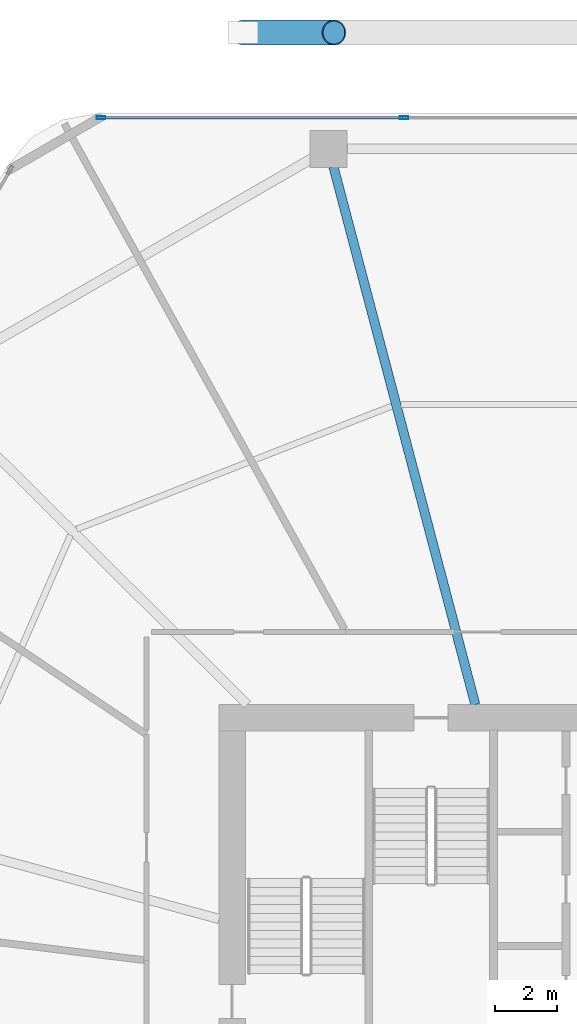
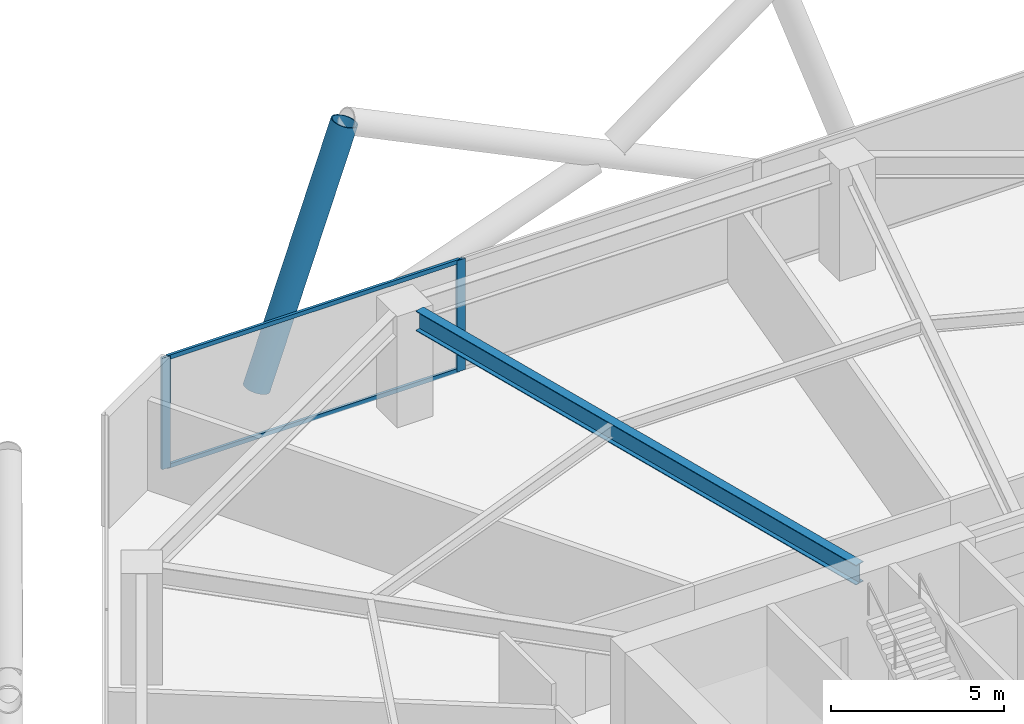
# One storey, part 17 of 28: 5 members, 1 beam, 1 element without a shape of its own.
"""IFC4 building model written with IfcOpenShell, lengths in metres."""

from ifc_helpers import new_model, si_unit, direction, frame, origin, origin_2d, place, context, subcontext, project, spatial, hollow_rectangle, hollow_circle, i_section, extrude, material, material_profile, profile_set, type_object, element, aggregate, save


model = new_model("IFC4")

# Units and contexts
model_context = context("Model", 3, precision=1e-05, world=origin(), true_north=direction((0.0, 1.0)))
body_context = subcontext(model_context, "Body", "Model", "MODEL_VIEW")
ifc_project = project(units=[si_unit("LENGTHUNIT", "METRE"), si_unit("AREAUNIT", "SQUARE_METRE"), si_unit("VOLUMEUNIT", "CUBIC_METRE"), si_unit("PLANEANGLEUNIT", "RADIAN"), si_unit("MASSUNIT", "GRAM", prefix="KILO")], contexts=[model_context])

# Site, building, storey
site_placement = place(None, origin())
site = spatial("IfcSite", under=ifc_project, at=site_placement, CompositionType="ELEMENT")
building_placement = place(site_placement, origin())
building = spatial("IfcBuilding", under=site, at=building_placement, Name="Zuhravey Tower", CompositionType="ELEMENT")
storey_placement = place(building_placement, frame((0.0, 0.0, 24.60009765625)))
storey = spatial("IfcBuildingStorey", under=building, at=storey_placement, Name="L06", CompositionType="ELEMENT", Elevation=24.60009765625)

# Curtain wall, members
ifc_material_1 = material(Name="Thermally broken anodised aluminium", Category="aluminium")
curtain_wall_type = type_object("IfcCurtainWallType", Name="School Low-E Unitised Curtain Wall CW1", PredefinedType="NOTDEFINED", material=ifc_material_1)
curtain_wall_placement = place(storey_placement, origin())
curtain_wall = element("IfcCurtainWall", 1, at=curtain_wall_placement, inside=storey, type_object=curtain_wall_type, Name="L06 CW1 CW-L06-F2-1", PredefinedType="NOTDEFINED")
ifc_material_2 = material(Name="Anodised aluminium", Category="aluminium")
ifc_material_profile_1 = material_profile(ifc_material_2, hollow_rectangle(XDim=0.090087890625, YDim=0.284912109375, WallThickness=0.0048828125, at=origin_2d()), Name="ALU-RHS-90x285x5")
ifc_profile_set_1 = profile_set([ifc_material_profile_1], Name="Anodised aluminium")
member_type_1 = type_object("IfcMemberType", Name="Curtain-Wall Mullion 90x180", PredefinedType="MULLION", material=ifc_profile_set_1)
member_1_placement = place(storey_placement, frame((21.24560546875, 60.95849609375, 0.0), z_axis=(0.0, 0.0, 1.0), x_axis=(0.0, 1.0, 0.0)))
member_1 = element("IfcMember", 2, at=member_1_placement, type_object=member_type_1, Name="CW1 mullion 1", PredefinedType="MULLION", context=body_context, shape_type="SweptSolid", body=[
    extrude(hollow_rectangle(XDim=0.090087890625, YDim=0.284912109375, WallThickness=0.0048828125, at=origin_2d()), origin(), (0.0, 0.0, 1.0), 3.919921875),
])
member_2_placement = place(storey_placement, frame((31.06689453125, 60.95849609375, 0.0), z_axis=(0.0, 0.0, 1.0), x_axis=(0.0, 1.0, 0.0)))
member_2 = element("IfcMember", 3, at=member_2_placement, type_object=member_type_1, Name="CW1 mullion 2", PredefinedType="MULLION", context=body_context, shape_type="SweptSolid", body=[
    extrude(hollow_rectangle(XDim=0.090087890625, YDim=0.284912109375, WallThickness=0.0048828125, at=origin_2d()), origin(), (0.0, 0.0, 1.0), 3.919921875),
])
ifc_material_profile_2 = material_profile(ifc_material_2, hollow_rectangle(XDim=0.090087890625, YDim=0.14990234375, WallThickness=0.0048828125, at=origin_2d()), Name="ALU-RHS-90x150x5")
ifc_profile_set_2 = profile_set([ifc_material_profile_2], Name="Anodised aluminium")
member_type_2 = type_object("IfcMemberType", Name="Curtain-Wall Transom 90x150", PredefinedType="USERDEFINED", material=ifc_profile_set_2)
member_3_placement = place(storey_placement, frame((21.29052734375, 60.95849609375, 0.044921875), z_axis=(1.0, 0.0, 0.0), x_axis=(0.0, 1.0, 0.0)))
member_3 = element("IfcMember", 4, at=member_3_placement, type_object=member_type_2, Name="CW1 transom 1.1", ObjectType="TRANSOM", PredefinedType="USERDEFINED", context=body_context, shape_type="SweptSolid", body=[
    extrude(hollow_rectangle(XDim=0.090087890625, YDim=0.14990234375, WallThickness=0.0048828125, at=origin_2d()), origin(), (0.0, 0.0, 1.0), 9.731201171875),
])
member_4_placement = place(storey_placement, frame((21.29052734375, 60.95849609375, 3.875), z_axis=(1.0, 0.0, 0.0), x_axis=(0.0, 1.0, 0.0)))
member_4 = element("IfcMember", 5, at=member_4_placement, type_object=member_type_2, Name="CW1 transom 1.2", ObjectType="TRANSOM", PredefinedType="USERDEFINED", context=body_context, shape_type="SweptSolid", body=[
    extrude(hollow_rectangle(XDim=0.090087890625, YDim=0.14990234375, WallThickness=0.0048828125, at=origin_2d()), origin(), (0.0, 0.0, 1.0), 9.731201171875),
])
aggregate(curtain_wall, [member_1, member_2, member_3, member_4])

# Member
ifc_material_3 = material(Name="Steel SM460", Category="steel")
ifc_material_profile_3 = material_profile(ifc_material_3, hollow_circle(Radius=0.406494140625, WallThickness=0.035888671875, at=origin_2d()), Name="CHS-812.8x36")
ifc_profile_set_3 = profile_set([ifc_material_profile_3], Name="Steel SM460")
member_type_3 = type_object("IfcMemberType", Name="Exoskeleton Zone 1 Diagrid CHS813x36", PredefinedType="BRACE", material=ifc_profile_set_3)
member_5_placement = place(storey_placement, frame((25.870849609375, 63.718505859375, -0.47216796875), z_axis=(0.330642732694, 0.0, 0.943755997764), x_axis=(0.0, 1.0, 0.0)))
element("IfcMember", 6, at=member_5_placement, inside=storey, type_object=member_type_3, Name="L06 Face 2 Diagrid Brace 4", PredefinedType="BRACE", context=body_context, shape_type="SweptSolid", body=[
    extrude(hollow_circle(Radius=0.406494140625, WallThickness=0.035888671875, at=origin_2d()), origin(), (0.0, 0.0, 1.0), 8.85400390625),
])

# Beam
ifc_material_4 = material(Name="Steel SM355", Category="steel")
ifc_material_profile_4 = material_profile(ifc_material_4, i_section(OverallWidth=0.300048828125, OverallDepth=0.699951171875, WebThickness=0.012939453125, FlangeThickness=0.02392578125, at=origin_2d()), Name="H-700x300x13x24")
ifc_profile_set_4 = profile_set([ifc_material_profile_4], Name="Steel SM355")
beam_type = type_object("IfcBeamType", Name="Radial Primary Girder H700x300", PredefinedType="BEAM", material=ifc_profile_set_4)
beam_placement = place(storey_placement, frame((33.382080078125, 41.927978515625, 3.56982421875), z_axis=(-0.254989720435, 0.966943763862, 0.0), x_axis=(-0.966943763862, -0.254989720435, 0.0)))
element("IfcBeam", 7, at=beam_placement, inside=storey, type_object=beam_type, Name="L06 RG1 BM-L06-RAD-04", PredefinedType="BEAM", context=body_context, shape_type="SweptSolid", body=[
    extrude(i_section(OverallWidth=0.300048828125, OverallDepth=0.699951171875, WebThickness=0.012939453125, FlangeThickness=0.02392578125, at=origin_2d()), origin(), (0.0, 0.0, 1.0), 18.03369140625),
])

save(model, "model.ifc")
